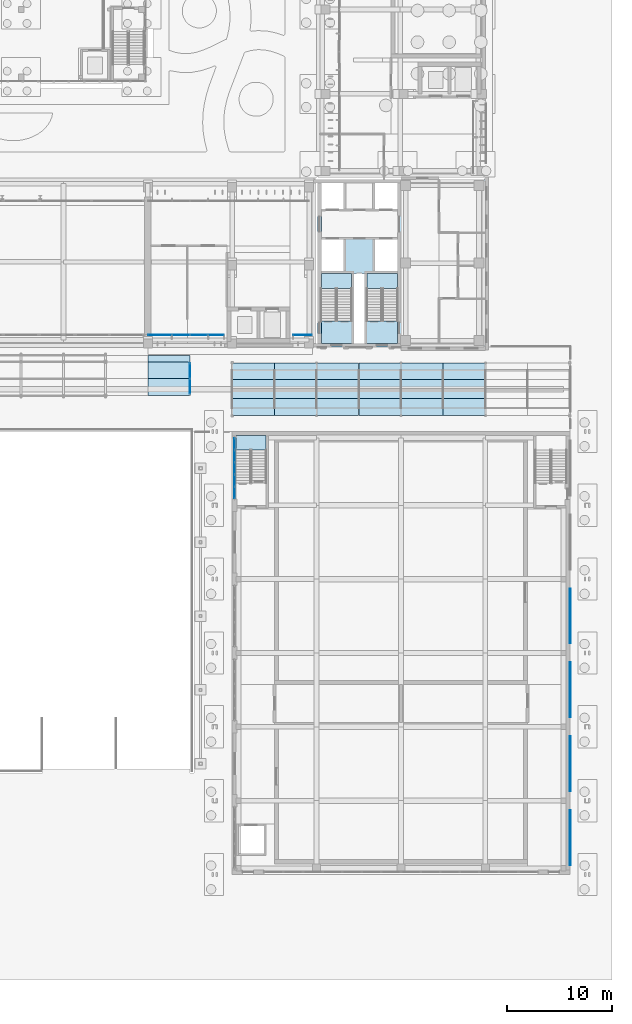
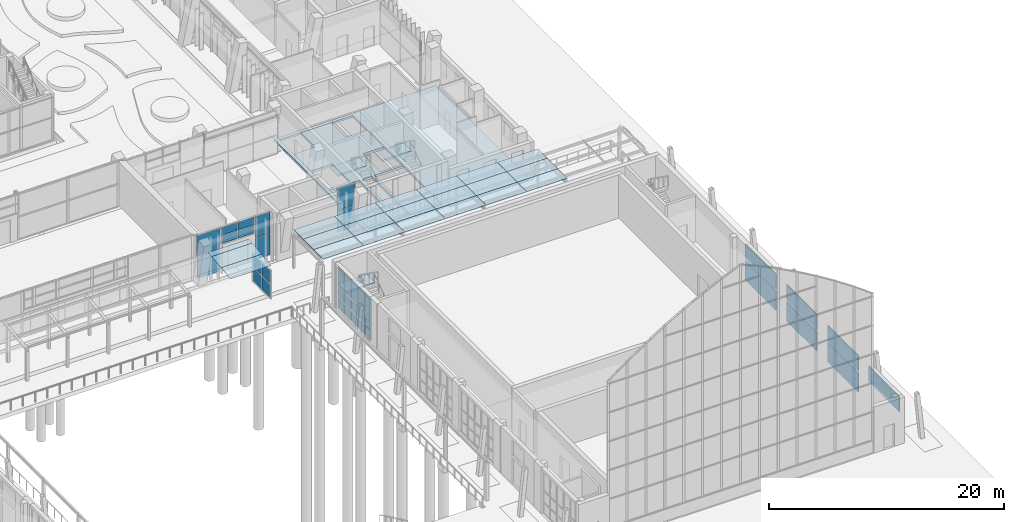
# One storey, part 94 of 144: 39 plates, 23 slabs, 9 elements without a shape of their own.
"""IFC4 building model written with IfcOpenShell, lengths in metres."""

import ifcopenshell
import ifcopenshell.guid

model = None  # the IFC model being written
_history = None  # IfcOwnerHistory: only IFC2X3 demands one
_inside = {}  # id of a spatial element -> (the spatial element, [elements in it])
_under = {}  # id of a project, library or spatial element -> (it, [spatial elements below it])
_declared = {}  # id of a project -> (the project, [libraries it declares])
_typed = {}  # id of a type object -> (the type object, [elements of that type])
_made_of = {}  # id of a material, layer set ... -> (it, [elements and type objects made of it])


def new_model(schema):
    """Start an empty IFC model of exactly this schema.

    Asked for "IFC4X3", IfcOpenShell would pick the latest addendum, in which some entities
    have other attributes; the version numbers below select the first issue.
    IFC2X3 requires an IfcOwnerHistory on every rooted entity: one is made here for all.
    """
    global model, _history
    if schema == "IFC4X3":
        model = ifcopenshell.file(schema_version=(4, 3, 0, 0))
    else:
        model = ifcopenshell.file(schema=schema)
    _inside.clear()
    _under.clear()
    _declared.clear()
    _typed.clear()
    _made_of.clear()
    _history = None
    if model.schema == "IFC2X3":
        org = make("IfcOrganization", Name="unknown")
        user = make(
            "IfcPersonAndOrganization",
            ThePerson=make("IfcPerson", FamilyName="unknown"),
            TheOrganization=org,
        )
        app = make(
            "IfcApplication",
            ApplicationDeveloper=org,
            Version="unknown",
            ApplicationFullName="unknown",
            ApplicationIdentifier="unknown",
        )
        _history = make(
            "IfcOwnerHistory",
            OwningUser=user,
            OwningApplication=app,
            ChangeAction="ADDED",
            CreationDate=0,
        )
    return model


def make(cls, **values):
    """One entity of the class cls with the attributes given. An attribute that is None is left unset."""
    return model.create_entity(
        cls, **{name: value for name, value in values.items() if value is not None}
    )


def rooted(cls, **values):
    """An entity with a GlobalId (a new one), such as an element, a storey or a relation."""
    return make(cls, GlobalId=ifcopenshell.guid.new(), OwnerHistory=_history, **values)


def si_unit(unit_type, name, prefix=None):
    """IfcSIUnit, for example si_unit("LENGTHUNIT", "METRE", prefix="MILLI")."""
    return make("IfcSIUnit", UnitType=unit_type, Prefix=prefix, Name=name)


def assignment(units):
    """IfcUnitAssignment: the units of a project."""
    return None if units is None else make("IfcUnitAssignment", Units=units)


def point(xyz):
    """IfcCartesianPoint."""
    return None if xyz is None else make("IfcCartesianPoint", Coordinates=xyz)


def direction(xyz):
    """IfcDirection."""
    return None if xyz is None else make("IfcDirection", DirectionRatios=xyz)


def frame(location, z_axis=None, x_axis=None):
    """IfcAxis2Placement3D, a coordinate frame: its origin and axes. An axis left out is left unset."""
    return make(
        "IfcAxis2Placement3D",
        Location=point(location),
        Axis=direction(z_axis),
        RefDirection=direction(x_axis),
    )


def frame_2d(location, x_axis=None):
    """IfcAxis2Placement2D, a coordinate frame in the plane: its origin and x axis."""
    return make(
        "IfcAxis2Placement2D", Location=point(location), RefDirection=direction(x_axis)
    )


def origin():
    """The frame at (0, 0, 0) with its axes left unset."""
    return frame((0.0, 0.0, 0.0))


def origin_2d():
    """The frame at (0, 0) in the plane with its x axis left unset."""
    return frame_2d((0.0, 0.0))


def place(relative_to, where):
    """IfcLocalPlacement: puts the frame where relative to a parent placement (None: the world)."""
    return make(
        "IfcLocalPlacement", PlacementRelTo=relative_to, RelativePlacement=where
    )


def context(
    kind, dimensions, precision=None, world=None, true_north=None, identifier=None
):
    """IfcGeometricRepresentationContext, for example the 3D "Model" context."""
    return make(
        "IfcGeometricRepresentationContext",
        ContextIdentifier=identifier,
        ContextType=kind,
        CoordinateSpaceDimension=dimensions,
        Precision=precision,
        WorldCoordinateSystem=world,
        TrueNorth=true_north,
    )


def subcontext(parent, identifier, kind, view, scale=None):
    """IfcGeometricRepresentationSubContext, for example "Body" below "Model"."""
    return make(
        "IfcGeometricRepresentationSubContext",
        ContextIdentifier=identifier,
        ContextType=kind,
        ParentContext=parent,
        TargetScale=scale,
        TargetView=view,
    )


def project(units=None, contexts=None):
    """IfcProject with its units and contexts."""
    return rooted(
        "IfcProject",
        Name="project",
        RepresentationContexts=contexts,
        UnitsInContext=assignment(units),
    )


def spatial(cls, under=None, at=None, **own):
    """A site, building, storey or space (cls), placed at a placement, below another one or the project."""
    s = rooted(cls, ObjectPlacement=at, **own)
    if under is not None:
        _under.setdefault(under.id(), (under, []))[1].append(s)
    return s


def polyline(points):
    """IfcPolyline through the points."""
    return make("IfcPolyline", Points=[point(p) for p in points])


def profile(cls, at=None, kind="AREA", **sizes):
    """A parametric profile (cls). Its sizes go by their IFC names, for example OverallWidth=200.0."""
    return make(cls, ProfileType=kind, Position=at, **sizes)


def rectangle(**sizes):
    """IfcRectangleProfileDef."""
    return profile("IfcRectangleProfileDef", **sizes)


def outline(outer, holes=None, kind="AREA"):
    """IfcArbitraryClosedProfileDef: a profile drawn as a closed curve; with holes, ...WithVoids."""
    if holes is None:
        return make("IfcArbitraryClosedProfileDef", ProfileType=kind, OuterCurve=outer)
    return make(
        "IfcArbitraryProfileDefWithVoids",
        ProfileType=kind,
        OuterCurve=outer,
        InnerCurves=holes,
    )


def extrude(swept, where, along, depth):
    """IfcExtrudedAreaSolid: the profile swept, set in the frame where, extruded along a direction by depth."""
    return make(
        "IfcExtrudedAreaSolid",
        SweptArea=swept,
        Position=where,
        ExtrudedDirection=direction(along),
        Depth=depth,
    )


def shape(context_of_items, identifier, shape_type, items):
    """IfcShapeRepresentation: the items that make up one representation, for example the "Body"."""
    return make(
        "IfcShapeRepresentation",
        ContextOfItems=context_of_items,
        RepresentationIdentifier=identifier,
        RepresentationType=shape_type,
        Items=items,
    )


def material(Name=None, Category=None):
    """IfcMaterial."""
    return make("IfcMaterial", Name=Name, Category=Category)


def layer(
    of_material, thickness, ventilated=None, Name=None, Category=None, Priority=None
):
    """IfcMaterialLayer: one layer of a wall or slab, of a material (None: an air gap)."""
    return make(
        "IfcMaterialLayer",
        Material=of_material,
        LayerThickness=thickness,
        IsVentilated=ventilated,
        Name=Name,
        Category=Category,
        Priority=Priority,
    )


def layer_set(layers, Name=None):
    """IfcMaterialLayerSet."""
    return make("IfcMaterialLayerSet", MaterialLayers=layers, LayerSetName=Name)


def made_of(thing, what):
    """Note that an element or type object is made of a material, layer set ...; save() writes the relation."""
    if what is not None:
        _made_of.setdefault(what.id(), (what, []))[1].append(thing)
    return thing


def type_object(cls, material=None, **own):
    """A type object (cls), such as IfcWallType, which elements share."""
    return made_of(rooted(cls, **own), material)


def element(
    cls,
    number,
    at=None,
    inside=None,
    cuts=None,
    type_object=None,
    material=None,
    context=None,
    identifier="Body",
    shape_type=None,
    held_by="IfcProductDefinitionShape",
    body=None,
    shapes=None,
    **own,
):
    """One element of the class cls, such as IfcWall. Its Tag is "e" and its number.

    at: its placement. inside: the storey or other place that contains it. cuts: it is an
    opening in that element (IfcRelVoidsElement). A single representation is given by context,
    identifier, shape_type and body (its items); several are given by shapes. held_by: the class
    of the entity that holds the representations. save() writes the other relations.
    """
    e = rooted(cls, Tag="e%d" % number, ObjectPlacement=at, **own)
    if body is not None:
        shapes = [shape(context, identifier, shape_type, body)]
    if shapes is not None:
        e.Representation = make(held_by, Representations=shapes)
    if inside is not None:
        _inside.setdefault(inside.id(), (inside, []))[1].append(e)
    if cuts is not None:
        rooted(
            "IfcRelVoidsElement", RelatingBuildingElement=cuts, RelatedOpeningElement=e
        )
    if type_object is not None:
        _typed.setdefault(type_object.id(), (type_object, []))[1].append(e)
    return made_of(e, material)


def aggregate(whole, parts):
    """IfcRelAggregates: a whole, such as a stair, and the parts it consists of."""
    return rooted("IfcRelAggregates", RelatingObject=whole, RelatedObjects=parts)


def save(model, path):
    """Write the relations noted so far, then the file.

    IfcRelAggregates (storeys below a building ...), IfcRelContainedInSpatialStructure (elements
    in a storey), IfcRelDefinesByType, IfcRelAssociatesMaterial and IfcRelDeclares: one each for
    every whole, place, type object, material and project.
    """
    for whole, parts in _under.values():
        aggregate(whole, parts)
    for where, things in _inside.values():
        rooted(
            "IfcRelContainedInSpatialStructure",
            RelatedElements=things,
            RelatingStructure=where,
        )
    for kind, things in _typed.values():
        rooted("IfcRelDefinesByType", RelatedObjects=things, RelatingType=kind)
    for what, things in _made_of.values():
        rooted("IfcRelAssociatesMaterial", RelatedObjects=things, RelatingMaterial=what)
    for by, libraries in _declared.values():
        rooted("IfcRelDeclares", RelatingContext=by, RelatedDefinitions=libraries)
    model.write(path)


model = new_model("IFC4")

# Units and contexts
model_context = context("Model", 3, precision=1e-05, world=origin(), true_north=direction((0.0, 1.0)))
body_context = subcontext(model_context, "Body", "Model", "MODEL_VIEW")
ifc_project = project(units=[si_unit("LENGTHUNIT", "METRE"), si_unit("AREAUNIT", "SQUARE_METRE"), si_unit("VOLUMEUNIT", "CUBIC_METRE"), si_unit("PLANEANGLEUNIT", "RADIAN"), si_unit("MASSUNIT", "GRAM", prefix="KILO")], contexts=[model_context])

# Site, building, storey
site_placement = place(None, origin())
site = spatial("IfcSite", under=ifc_project, at=site_placement, CompositionType="ELEMENT")
building_placement = place(site_placement, origin())
building = spatial("IfcBuilding", under=site, at=building_placement, Name="Lantern Court Media Centre", CompositionType="ELEMENT")
storey_placement = place(building_placement, origin())
storey = spatial("IfcBuildingStorey", under=building, at=storey_placement, Name="L00", CompositionType="ELEMENT", Elevation=0.0)

# Plates
ifc_material_1 = material(Name="Laminated glass 8+8", Category="glass")
ifc_layer_1 = layer(ifc_material_1, 0.031982421875)
ifc_layer_set_1 = layer_set([ifc_layer_1], Name="Laminated glass 8+8")
plate_type_1 = type_object("IfcPlateType", Name="Canopy roof glass 32", PredefinedType="SHEET", material=ifc_layer_set_1)
plate_1_placement = place(storey_placement, frame((64.0, 43.396240234375, 3.53564453125), z_axis=(0.0, -0.11817732015, 0.992992508029), x_axis=(1.0, 0.0, 0.0)))
element("IfcPlate", 1, at=plate_1_placement, inside=storey, type_object=plate_type_1, Name="Entrance canopy glass panel", PredefinedType="SHEET", context=body_context, shape_type="SweptSolid", body=[
    extrude(outline(polyline([(0.0, 0.0), (4.0, 0.0), (4.0, 1.6113894549171193), (0.0, 1.6113894549171193), (0.0, 0.0)])), origin(), (0.0, 0.0, -1.0), 0.031982421875),
])
plate_2_placement = place(storey_placement, frame((64.0, 44.996337890625, 3.72607421875), z_axis=(0.0, -0.118045683032, 0.993008165484), x_axis=(1.0, 0.0, 0.0)))
element("IfcPlate", 2, at=plate_2_placement, inside=storey, type_object=plate_type_1, Name="Entrance canopy glass panel", PredefinedType="SHEET", context=body_context, shape_type="SweptSolid", body=[
    extrude(outline(polyline([(0.0, 0.0), (4.0, 0.0), (4.0, 1.6111181873772684), (0.0, 1.6111181873772684), (0.0, 0.0)])), origin(), (0.0, 0.0, -1.0), 0.031982421875),
])
plate_3_placement = place(storey_placement, frame((64.0, 46.59619140625, 3.916259765625), z_axis=(0.0, -0.118364633013, 0.992970197766), x_axis=(1.0, 0.0, 0.0)))
element("IfcPlate", 3, at=plate_3_placement, inside=storey, type_object=plate_type_1, Name="Entrance canopy glass panel", PredefinedType="SHEET", context=body_context, shape_type="SweptSolid", body=[
    extrude(outline(polyline([(0.0, 0.0), (4.0, 0.0), (4.0, 0.6043460897416858), (0.0, 0.6043460897416858), (0.0, 0.0)])), origin(), (0.0, 0.0, -1.0), 0.031982421875),
])

# Slabs
ifc_material_2 = material(Name="Zinc standing seam on insulation")
ifc_layer_2 = layer(ifc_material_2, 0.080078125)
ifc_layer_set_2 = layer_set([ifc_layer_2], Name="Zinc standing seam on insulation")
slab_type_1 = type_object("IfcSlabType", Name="Cloister roof panel, standing seam 80", PredefinedType="ROOF", material=ifc_layer_set_2)
slab_1_placement = place(storey_placement, frame((72.00244140625, 41.5, 3.9599609375), z_axis=(0.0, 0.0, 1.0), x_axis=(1.0, 0.0, 0.0)))
element("IfcSlab", 4, at=slab_1_placement, inside=storey, type_object=slab_type_1, Name="Cloister roof panel", PredefinedType="ROOF", context=body_context, shape_type="SweptSolid", body=[
    extrude(outline(polyline([(0.0, 0.0), (3.9951171875, 0.0), (3.9951171875, 1.60009765625), (0.0, 1.60009765625), (0.0, 0.0)])), origin(), (0.0, 0.0, -1.0), 0.080078125),
])
slab_2_placement = place(storey_placement, frame((72.00244140625, 43.10009765625, 3.9599609375), z_axis=(0.0, 0.0, 1.0), x_axis=(1.0, 0.0, 0.0)))
element("IfcSlab", 5, at=slab_2_placement, inside=storey, type_object=slab_type_1, Name="Cloister roof panel", PredefinedType="ROOF", context=body_context, shape_type="SweptSolid", body=[
    extrude(outline(polyline([(0.0, 0.0), (3.9951171875, 0.0), (3.9951171875, 1.7998046875), (0.0, 1.7998046875), (0.0, 0.0)])), origin(), (0.0, 0.0, -1.0), 0.080078125),
])
for number, where, z_axis, x_axis, name in (
    (6, (72.00244140625, 44.89990234375, 3.9599609375), (0.0, 0.0, 1.0), (1.0, 0.0, 0.0), "Cloister roof panel"),
    (7, (76.00244140625, 41.5, 3.9599609375), (0.0, 0.0, 1.0), (1.0, 0.0, 0.0), "Cloister roof panel"),
):
    element("IfcSlab", number, at=place(storey_placement, frame(where, z_axis=z_axis, x_axis=x_axis)), inside=storey, type_object=slab_type_1, Name=name, PredefinedType="ROOF", context=body_context, shape_type="SweptSolid", body=[
        extrude(outline(polyline([(0.0, 0.0), (3.9951171875, 0.0), (3.9951171875, 1.60009765625), (0.0, 1.60009765625), (0.0, 0.0)])), origin(), (0.0, 0.0, -1.0), 0.080078125),
    ])
slab_3_placement = place(storey_placement, frame((76.00244140625, 43.10009765625, 3.9599609375), z_axis=(0.0, 0.0, 1.0), x_axis=(1.0, 0.0, 0.0)))
element("IfcSlab", 8, at=slab_3_placement, inside=storey, type_object=slab_type_1, Name="Cloister roof panel", PredefinedType="ROOF", context=body_context, shape_type="SweptSolid", body=[
    extrude(outline(polyline([(0.0, 0.0), (3.9951171875, 0.0), (3.9951171875, 1.7998046875), (0.0, 1.7998046875), (0.0, 0.0)])), origin(), (0.0, 0.0, -1.0), 0.080078125),
])
for number, where, z_axis, x_axis, name in (
    (9, (76.00244140625, 44.89990234375, 3.9599609375), (0.0, 0.0, 1.0), (1.0, 0.0, 0.0), "Cloister roof panel"),
    (10, (80.00244140625, 41.5, 3.9599609375), (0.0, 0.0, 1.0), (1.0, 0.0, 0.0), "Cloister roof panel"),
):
    element("IfcSlab", number, at=place(storey_placement, frame(where, z_axis=z_axis, x_axis=x_axis)), inside=storey, type_object=slab_type_1, Name=name, PredefinedType="ROOF", context=body_context, shape_type="SweptSolid", body=[
        extrude(outline(polyline([(0.0, 0.0), (3.9951171875, 0.0), (3.9951171875, 1.60009765625), (0.0, 1.60009765625), (0.0, 0.0)])), origin(), (0.0, 0.0, -1.0), 0.080078125),
    ])
slab_4_placement = place(storey_placement, frame((80.00244140625, 43.10009765625, 3.9599609375), z_axis=(0.0, 0.0, 1.0), x_axis=(1.0, 0.0, 0.0)))
element("IfcSlab", 11, at=slab_4_placement, inside=storey, type_object=slab_type_1, Name="Cloister roof panel", PredefinedType="ROOF", context=body_context, shape_type="SweptSolid", body=[
    extrude(outline(polyline([(0.0, 0.0), (3.9951171875, 0.0), (3.9951171875, 1.7998046875), (0.0, 1.7998046875), (0.0, 0.0)])), origin(), (0.0, 0.0, -1.0), 0.080078125),
])
for number, where, z_axis, x_axis, name in (
    (12, (80.00244140625, 44.89990234375, 3.9599609375), (0.0, 0.0, 1.0), (1.0, 0.0, 0.0), "Cloister roof panel"),
    (13, (84.00244140625, 41.5, 3.9599609375), (0.0, 0.0, 1.0), (1.0, 0.0, 0.0), "Cloister roof panel"),
):
    element("IfcSlab", number, at=place(storey_placement, frame(where, z_axis=z_axis, x_axis=x_axis)), inside=storey, type_object=slab_type_1, Name=name, PredefinedType="ROOF", context=body_context, shape_type="SweptSolid", body=[
        extrude(outline(polyline([(0.0, 0.0), (3.9951171875, 0.0), (3.9951171875, 1.60009765625), (0.0, 1.60009765625), (0.0, 0.0)])), origin(), (0.0, 0.0, -1.0), 0.080078125),
    ])
slab_5_placement = place(storey_placement, frame((84.00244140625, 43.10009765625, 3.9599609375), z_axis=(0.0, 0.0, 1.0), x_axis=(1.0, 0.0, 0.0)))
element("IfcSlab", 14, at=slab_5_placement, inside=storey, type_object=slab_type_1, Name="Cloister roof panel", PredefinedType="ROOF", context=body_context, shape_type="SweptSolid", body=[
    extrude(outline(polyline([(0.0, 0.0), (3.9951171875, 0.0), (3.9951171875, 1.7998046875), (0.0, 1.7998046875), (0.0, 0.0)])), origin(), (0.0, 0.0, -1.0), 0.080078125),
])
for number, where, z_axis, x_axis, name in (
    (15, (84.00244140625, 44.89990234375, 3.9599609375), (0.0, 0.0, 1.0), (1.0, 0.0, 0.0), "Cloister roof panel"),
    (16, (88.00244140625, 41.5, 3.9599609375), (0.0, 0.0, 1.0), (1.0, 0.0, 0.0), "Cloister roof panel"),
):
    element("IfcSlab", number, at=place(storey_placement, frame(where, z_axis=z_axis, x_axis=x_axis)), inside=storey, type_object=slab_type_1, Name=name, PredefinedType="ROOF", context=body_context, shape_type="SweptSolid", body=[
        extrude(outline(polyline([(0.0, 0.0), (3.9951171875, 0.0), (3.9951171875, 1.60009765625), (0.0, 1.60009765625), (0.0, 0.0)])), origin(), (0.0, 0.0, -1.0), 0.080078125),
    ])
slab_6_placement = place(storey_placement, frame((88.00244140625, 43.10009765625, 3.9599609375), z_axis=(0.0, 0.0, 1.0), x_axis=(1.0, 0.0, 0.0)))
element("IfcSlab", 17, at=slab_6_placement, inside=storey, type_object=slab_type_1, Name="Cloister roof panel", PredefinedType="ROOF", context=body_context, shape_type="SweptSolid", body=[
    extrude(outline(polyline([(0.0, 0.0), (3.9951171875, 0.0), (3.9951171875, 1.7998046875), (0.0, 1.7998046875), (0.0, 0.0)])), origin(), (0.0, 0.0, -1.0), 0.080078125),
])
for number, where, z_axis, x_axis, name in (
    (18, (88.00244140625, 44.89990234375, 3.9599609375), (0.0, 0.0, 1.0), (1.0, 0.0, 0.0), "Cloister roof panel"),
    (19, (92.00244140625, 41.5, 3.9599609375), (0.0, 0.0, 1.0), (1.0, 0.0, 0.0), "Cloister roof panel"),
):
    element("IfcSlab", number, at=place(storey_placement, frame(where, z_axis=z_axis, x_axis=x_axis)), inside=storey, type_object=slab_type_1, Name=name, PredefinedType="ROOF", context=body_context, shape_type="SweptSolid", body=[
        extrude(outline(polyline([(0.0, 0.0), (3.9951171875, 0.0), (3.9951171875, 1.60009765625), (0.0, 1.60009765625), (0.0, 0.0)])), origin(), (0.0, 0.0, -1.0), 0.080078125),
    ])
slab_7_placement = place(storey_placement, frame((92.00244140625, 43.10009765625, 3.9599609375), z_axis=(0.0, 0.0, 1.0), x_axis=(1.0, 0.0, 0.0)))
element("IfcSlab", 20, at=slab_7_placement, inside=storey, type_object=slab_type_1, Name="Cloister roof panel", PredefinedType="ROOF", context=body_context, shape_type="SweptSolid", body=[
    extrude(outline(polyline([(0.0, 0.0), (3.9951171875, 0.0), (3.9951171875, 1.7998046875), (0.0, 1.7998046875), (0.0, 0.0)])), origin(), (0.0, 0.0, -1.0), 0.080078125),
])
slab_8_placement = place(storey_placement, frame((92.00244140625, 44.89990234375, 3.9599609375), z_axis=(0.0, 0.0, 1.0), x_axis=(1.0, 0.0, 0.0)))
element("IfcSlab", 21, at=slab_8_placement, inside=storey, type_object=slab_type_1, Name="Cloister roof panel", PredefinedType="ROOF", context=body_context, shape_type="SweptSolid", body=[
    extrude(outline(polyline([(0.0, 0.0), (3.9951171875, 0.0), (3.9951171875, 1.60009765625), (0.0, 1.60009765625), (0.0, 0.0)])), origin(), (0.0, 0.0, -1.0), 0.080078125),
])
ifc_material_3 = material(Name="Concrete C40", Category="concrete")
ifc_layer_3 = layer(ifc_material_3, 0.25)
ifc_layer_set_3 = layer_set([ifc_layer_3], Name="Concrete C40")
slab_type_2 = type_object("IfcSlabType", Name="Core floor slab 250", PredefinedType="FLOOR", material=ifc_layer_set_3)
slab_9_placement = place(storey_placement, frame((0.0, 0.0, -0.25)))
element("IfcSlab", 22, at=slab_9_placement, inside=storey, type_object=slab_type_2, Name="L00 SE core floor", PredefinedType="FLOOR", context=body_context, shape_type="SweptSolid", body=[
    extrude(outline(polyline([(87.64990234375, 55.199951171875), (87.64990234375, 54.94970703125), (84.80029296875, 54.94970703125), (84.80029296875, 50.450439453125), (87.64990234375, 50.450439453125), (87.64990234375, 48.35009765625), (84.550048828125, 48.35009765625), (84.550048828125, 54.949951171875), (83.550048828125, 54.949951171875), (83.550048828125, 48.35009765625), (80.449951171875, 48.35009765625), (80.449951171875, 50.450439453125), (83.299560546875, 50.450439453125), (83.299560546875, 54.94970703125), (80.449951171875, 54.94970703125), (80.449951171875, 55.199951171875), (82.550048828125, 55.199951171875), (82.550048828125, 58.199951171875), (80.449951171875, 58.199951171875), (80.449951171875, 61.10009765625), (82.550048828125, 61.10009765625), (82.550048828125, 63.550048828125), (85.550048828125, 63.550048828125), (85.550048828125, 61.10009765625), (87.64990234375, 61.10009765625), (87.64990234375, 58.199951171875), (85.550048828125, 58.199951171875), (85.550048828125, 55.199951171875), (87.64990234375, 55.199951171875)])), origin(), (0.0, 0.0, 1.0), 0.25),
])

# Curtain wall, plates
ifc_material_4 = material(Name="Curtain wall bay 3000")
curtain_wall_type_1 = type_object("IfcCurtainWallType", Name="Curtain wall bay 3000", PredefinedType="NOTDEFINED", material=ifc_material_4)
curtain_wall_1_placement = place(storey_placement, origin())
curtain_wall_1 = element("IfcCurtainWall", 23, at=curtain_wall_1_placement, inside=storey, type_object=curtain_wall_type_1, Name="Curtain wall S outer L00", PredefinedType="NOTDEFINED")
ifc_material_5 = material(Name="Low-iron double glazed unit glass", Category="glass")
ifc_layer_4 = layer(ifc_material_5, 0.028076171875)
ifc_layer_set_4 = layer_set([ifc_layer_4], Name="Low-iron double glazed unit glass")
plate_type_2 = type_object("IfcPlateType", Name="Curtain wall glazing unit 28", PredefinedType="CURTAIN_PANEL", material=ifc_layer_set_4)
plate_4_placement = place(storey_placement, frame((65.14990234375, 49.14990234375, 0.06005859375), z_axis=(0.0, 0.0, 1.0), x_axis=(1.0, 0.0, 0.0)))
plate_4 = element("IfcPlate", 24, at=plate_4_placement, type_object=plate_type_2, Name="CW1 panel 1.1", PredefinedType="CURTAIN_PANEL", context=body_context, shape_type="SweptSolid", body=[
    extrude(rectangle(XDim=2.179931640625, YDim=0.028076171875, at=origin_2d()), origin(), (0.0, 0.0, 1.0), 2.199951171875),
])
plate_5_placement = place(storey_placement, frame((65.14990234375, 49.14990234375, 2.31982421875), z_axis=(0.0, 0.0, 1.0), x_axis=(1.0, 0.0, 0.0)))
plate_5 = element("IfcPlate", 25, at=plate_5_placement, type_object=plate_type_2, Name="CW1 panel 1.2", PredefinedType="CURTAIN_PANEL", context=body_context, shape_type="SweptSolid", body=[
    extrude(rectangle(XDim=2.179931640625, YDim=0.028076171875, at=origin_2d()), origin(), (0.0, 0.0, 1.0), 2.199951171875),
])
aggregate(curtain_wall_1, [plate_4, plate_5])

curtain_wall_2_placement = place(storey_placement, origin())
curtain_wall_2 = element("IfcCurtainWall", 26, at=curtain_wall_2_placement, inside=storey, type_object=curtain_wall_type_1, Name="Curtain wall S outer L00", PredefinedType="NOTDEFINED")
plate_6_placement = place(storey_placement, frame((70.47509765625, 49.14990234375, 0.06005859375), z_axis=(0.0, 0.0, 1.0), x_axis=(1.0, 0.0, 0.0)))
plate_6 = element("IfcPlate", 27, at=plate_6_placement, type_object=plate_type_2, Name="CW1 panel 1.1", PredefinedType="CURTAIN_PANEL", context=body_context, shape_type="SweptSolid", body=[
    extrude(rectangle(XDim=1.429931640625, YDim=0.028076171875, at=origin_2d()), origin(), (0.0, 0.0, 1.0), 2.199951171875),
])
plate_7_placement = place(storey_placement, frame((70.47509765625, 49.14990234375, 2.31982421875), z_axis=(0.0, 0.0, 1.0), x_axis=(1.0, 0.0, 0.0)))
plate_7 = element("IfcPlate", 28, at=plate_7_placement, type_object=plate_type_2, Name="CW1 panel 1.2", PredefinedType="CURTAIN_PANEL", context=body_context, shape_type="SweptSolid", body=[
    extrude(rectangle(XDim=1.429931640625, YDim=0.028076171875, at=origin_2d()), origin(), (0.0, 0.0, 1.0), 2.199951171875),
])
aggregate(curtain_wall_2, [plate_6, plate_7])

curtain_wall_3_placement = place(storey_placement, origin())
curtain_wall_3 = element("IfcCurtainWall", 29, at=curtain_wall_3_placement, inside=storey, type_object=curtain_wall_type_1, Name="Curtain wall S outer L00", PredefinedType="NOTDEFINED")
plate_8_placement = place(storey_placement, frame((78.6650390625, 49.14990234375, 0.06005859375), z_axis=(0.0, 0.0, 1.0), x_axis=(1.0, 0.0, 0.0)))
plate_8 = element("IfcPlate", 30, at=plate_8_placement, type_object=plate_type_2, Name="CW1 panel 1.1", PredefinedType="CURTAIN_PANEL", context=body_context, shape_type="SweptSolid", body=[
    extrude(rectangle(XDim=1.7099609375, YDim=0.028076171875, at=origin_2d()), origin(), (0.0, 0.0, 1.0), 2.199951171875),
])
plate_9_placement = place(storey_placement, frame((78.6650390625, 49.14990234375, 2.31982421875), z_axis=(0.0, 0.0, 1.0), x_axis=(1.0, 0.0, 0.0)))
plate_9 = element("IfcPlate", 31, at=plate_9_placement, type_object=plate_type_2, Name="CW1 panel 1.2", PredefinedType="CURTAIN_PANEL", context=body_context, shape_type="SweptSolid", body=[
    extrude(rectangle(XDim=1.7099609375, YDim=0.028076171875, at=origin_2d()), origin(), (0.0, 0.0, 1.0), 2.199951171875),
])
aggregate(curtain_wall_3, [plate_8, plate_9])

ifc_material_6 = material(Name="Curtain wall bay 1700")
curtain_wall_type_2 = type_object("IfcCurtainWallType", Name="Curtain wall bay 1700", PredefinedType="NOTDEFINED", material=ifc_material_6)
curtain_wall_4_placement = place(storey_placement, origin())
curtain_wall_4 = element("IfcCurtainWall", 32, at=curtain_wall_4_placement, inside=storey, type_object=curtain_wall_type_2, Name="Curtain wall S outer L00", PredefinedType="NOTDEFINED")
plate_10_placement = place(storey_placement, frame((67.1650390625, 49.14990234375, 2.85986328125), z_axis=(0.0, 0.0, 1.0), x_axis=(1.0, 0.0, 0.0)))
plate_10 = element("IfcPlate", 33, at=plate_10_placement, type_object=plate_type_2, Name="CW4 panel 1.1", PredefinedType="CURTAIN_PANEL", context=body_context, shape_type="SweptSolid", body=[
    extrude(rectangle(XDim=1.610107421875, YDim=0.028076171875, at=origin_2d()), origin(), (0.0, 0.0, 1.0), 0.800048828125),
])
plate_11_placement = place(storey_placement, frame((67.1650390625, 49.14990234375, 3.72021484375), z_axis=(0.0, 0.0, 1.0), x_axis=(1.0, 0.0, 0.0)))
plate_11 = element("IfcPlate", 34, at=plate_11_placement, type_object=plate_type_2, Name="CW4 panel 1.2", PredefinedType="CURTAIN_PANEL", context=body_context, shape_type="SweptSolid", body=[
    extrude(rectangle(XDim=1.610107421875, YDim=0.028076171875, at=origin_2d()), origin(), (0.0, 0.0, 1.0), 0.800048828125),
])
plate_12_placement = place(storey_placement, frame((68.8349609375, 49.14990234375, 2.85986328125), z_axis=(0.0, 0.0, 1.0), x_axis=(1.0, 0.0, 0.0)))
plate_12 = element("IfcPlate", 35, at=plate_12_placement, type_object=plate_type_2, Name="CW4 panel 2.1", PredefinedType="CURTAIN_PANEL", context=body_context, shape_type="SweptSolid", body=[
    extrude(rectangle(XDim=1.610107421875, YDim=0.028076171875, at=origin_2d()), origin(), (0.0, 0.0, 1.0), 0.800048828125),
])
plate_13_placement = place(storey_placement, frame((68.8349609375, 49.14990234375, 3.72021484375), z_axis=(0.0, 0.0, 1.0), x_axis=(1.0, 0.0, 0.0)))
plate_13 = element("IfcPlate", 36, at=plate_13_placement, type_object=plate_type_2, Name="CW4 panel 2.2", PredefinedType="CURTAIN_PANEL", context=body_context, shape_type="SweptSolid", body=[
    extrude(rectangle(XDim=1.610107421875, YDim=0.028076171875, at=origin_2d()), origin(), (0.0, 0.0, 1.0), 0.800048828125),
])
aggregate(curtain_wall_4, [plate_10, plate_11, plate_12, plate_13])

ifc_material_7 = material(Name="Aluminium and glass", Category="aluminium")
ifc_layer_5 = layer(ifc_material_7, 0.14990234375)
ifc_layer_set_5 = layer_set([ifc_layer_5], Name="Aluminium and glass")
curtain_wall_type_3 = type_object("IfcCurtainWallType", Name="Hall lancet glazing", PredefinedType="NOTDEFINED", material=ifc_layer_set_5)
curtain_wall_5_placement = place(storey_placement, origin())
curtain_wall_5 = element("IfcCurtainWall", 37, at=curtain_wall_5_placement, inside=storey, type_object=curtain_wall_type_3, Name="Studio Hall foyer glazing 6", PredefinedType="NOTDEFINED")
ifc_material_8 = material(Name="Laminated glass 6+6", Category="glass")
ifc_layer_6 = layer(ifc_material_8, 0.028076171875)
ifc_layer_set_6 = layer_set([ifc_layer_6], Name="Laminated glass 6+6")
plate_type_3 = type_object("IfcPlateType", Name="HP", PredefinedType="CURTAIN_PANEL", material=ifc_layer_set_6)
plate_14_placement = place(storey_placement, frame((72.22509765625, 34.195068359375, 0.119873046875), z_axis=(0.0, 0.0, 1.0), x_axis=(0.0, 1.0, 0.0)))
plate_14 = element("IfcPlate", 38, at=plate_14_placement, type_object=plate_type_3, Name="HCW-V26 panel 1.1", PredefinedType="CURTAIN_PANEL", context=body_context, shape_type="SweptSolid", body=[
    extrude(rectangle(XDim=1.070068359375, YDim=0.028076171875, at=origin_2d()), origin(), (0.0, 0.0, 1.0), 1.02001953125),
])
plate_15_placement = place(storey_placement, frame((72.22509765625, 34.195068359375, 1.260009765625), z_axis=(0.0, 0.0, 1.0), x_axis=(0.0, 1.0, 0.0)))
plate_15 = element("IfcPlate", 39, at=plate_15_placement, type_object=plate_type_3, Name="HCW-V26 panel 1.2", PredefinedType="CURTAIN_PANEL", context=body_context, shape_type="SweptSolid", body=[
    extrude(rectangle(XDim=1.070068359375, YDim=0.028076171875, at=origin_2d()), origin(), (0.0, 0.0, 1.0), 1.080078125),
])
plate_16_placement = place(storey_placement, frame((72.22509765625, 34.195068359375, 2.4599609375), z_axis=(0.0, 0.0, 1.0), x_axis=(0.0, 1.0, 0.0)))
plate_16 = element("IfcPlate", 40, at=plate_16_placement, type_object=plate_type_3, Name="HCW-V26 panel 1.3", PredefinedType="CURTAIN_PANEL", context=body_context, shape_type="SweptSolid", body=[
    extrude(rectangle(XDim=1.070068359375, YDim=0.028076171875, at=origin_2d()), origin(), (0.0, 0.0, 1.0), 1.969970703125),
])
plate_17_placement = place(storey_placement, frame((72.22509765625, 35.340087890625, 0.119873046875), z_axis=(0.0, 0.0, 1.0), x_axis=(0.0, 1.0, 0.0)))
plate_17 = element("IfcPlate", 41, at=plate_17_placement, type_object=plate_type_3, Name="HCW-V26 panel 2.1", PredefinedType="CURTAIN_PANEL", context=body_context, shape_type="SweptSolid", body=[
    extrude(rectangle(XDim=1.10009765625, YDim=0.028076171875, at=origin_2d()), origin(), (0.0, 0.0, 1.0), 1.02001953125),
])
plate_18_placement = place(storey_placement, frame((72.22509765625, 35.340087890625, 1.260009765625), z_axis=(0.0, 0.0, 1.0), x_axis=(0.0, 1.0, 0.0)))
plate_18 = element("IfcPlate", 42, at=plate_18_placement, type_object=plate_type_3, Name="HCW-V26 panel 2.2", PredefinedType="CURTAIN_PANEL", context=body_context, shape_type="SweptSolid", body=[
    extrude(rectangle(XDim=1.10009765625, YDim=0.028076171875, at=origin_2d()), origin(), (0.0, 0.0, 1.0), 1.080078125),
])
plate_19_placement = place(storey_placement, frame((72.22509765625, 35.340087890625, 2.4599609375), z_axis=(0.0, 0.0, 1.0), x_axis=(0.0, 1.0, 0.0)))
plate_19 = element("IfcPlate", 43, at=plate_19_placement, type_object=plate_type_3, Name="HCW-V26 panel 2.3", PredefinedType="CURTAIN_PANEL", context=body_context, shape_type="SweptSolid", body=[
    extrude(rectangle(XDim=1.10009765625, YDim=0.028076171875, at=origin_2d()), origin(), (0.0, 0.0, 1.0), 1.969970703125),
])
plate_20_placement = place(storey_placement, frame((72.22509765625, 36.5, 0.119873046875), z_axis=(0.0, 0.0, 1.0), x_axis=(0.0, 1.0, 0.0)))
plate_20 = element("IfcPlate", 44, at=plate_20_placement, type_object=plate_type_3, Name="HCW-V26 panel 3.1", PredefinedType="CURTAIN_PANEL", context=body_context, shape_type="SweptSolid", body=[
    extrude(rectangle(XDim=1.10009765625, YDim=0.028076171875, at=origin_2d()), origin(), (0.0, 0.0, 1.0), 1.02001953125),
])
plate_21_placement = place(storey_placement, frame((72.22509765625, 36.5, 1.260009765625), z_axis=(0.0, 0.0, 1.0), x_axis=(0.0, 1.0, 0.0)))
plate_21 = element("IfcPlate", 45, at=plate_21_placement, type_object=plate_type_3, Name="HCW-V26 panel 3.2", PredefinedType="CURTAIN_PANEL", context=body_context, shape_type="SweptSolid", body=[
    extrude(rectangle(XDim=1.10009765625, YDim=0.028076171875, at=origin_2d()), origin(), (0.0, 0.0, 1.0), 1.080078125),
])
plate_22_placement = place(storey_placement, frame((72.22509765625, 36.5, 2.4599609375), z_axis=(0.0, 0.0, 1.0), x_axis=(0.0, 1.0, 0.0)))
plate_22 = element("IfcPlate", 46, at=plate_22_placement, type_object=plate_type_3, Name="HCW-V26 panel 3.3", PredefinedType="CURTAIN_PANEL", context=body_context, shape_type="SweptSolid", body=[
    extrude(rectangle(XDim=1.10009765625, YDim=0.028076171875, at=origin_2d()), origin(), (0.0, 0.0, 1.0), 1.969970703125),
])
plate_23_placement = place(storey_placement, frame((72.22509765625, 37.659912109375, 0.119873046875), z_axis=(0.0, 0.0, 1.0), x_axis=(0.0, 1.0, 0.0)))
plate_23 = element("IfcPlate", 47, at=plate_23_placement, type_object=plate_type_3, Name="HCW-V26 panel 4.1", PredefinedType="CURTAIN_PANEL", context=body_context, shape_type="SweptSolid", body=[
    extrude(rectangle(XDim=1.10009765625, YDim=0.028076171875, at=origin_2d()), origin(), (0.0, 0.0, 1.0), 1.02001953125),
])
plate_24_placement = place(storey_placement, frame((72.22509765625, 37.659912109375, 1.260009765625), z_axis=(0.0, 0.0, 1.0), x_axis=(0.0, 1.0, 0.0)))
plate_24 = element("IfcPlate", 48, at=plate_24_placement, type_object=plate_type_3, Name="HCW-V26 panel 4.2", PredefinedType="CURTAIN_PANEL", context=body_context, shape_type="SweptSolid", body=[
    extrude(rectangle(XDim=1.10009765625, YDim=0.028076171875, at=origin_2d()), origin(), (0.0, 0.0, 1.0), 1.080078125),
])
plate_25_placement = place(storey_placement, frame((72.22509765625, 37.659912109375, 2.4599609375), z_axis=(0.0, 0.0, 1.0), x_axis=(0.0, 1.0, 0.0)))
plate_25 = element("IfcPlate", 49, at=plate_25_placement, type_object=plate_type_3, Name="HCW-V26 panel 4.3", PredefinedType="CURTAIN_PANEL", context=body_context, shape_type="SweptSolid", body=[
    extrude(rectangle(XDim=1.10009765625, YDim=0.028076171875, at=origin_2d()), origin(), (0.0, 0.0, 1.0), 1.969970703125),
])
plate_26_placement = place(storey_placement, frame((72.22509765625, 38.804931640625, 0.119873046875), z_axis=(0.0, 0.0, 1.0), x_axis=(0.0, 1.0, 0.0)))
plate_26 = element("IfcPlate", 50, at=plate_26_placement, type_object=plate_type_3, Name="HCW-V26 panel 5.1", PredefinedType="CURTAIN_PANEL", context=body_context, shape_type="SweptSolid", body=[
    extrude(rectangle(XDim=1.070068359375, YDim=0.028076171875, at=origin_2d()), origin(), (0.0, 0.0, 1.0), 1.02001953125),
])
plate_27_placement = place(storey_placement, frame((72.22509765625, 38.804931640625, 1.260009765625), z_axis=(0.0, 0.0, 1.0), x_axis=(0.0, 1.0, 0.0)))
plate_27 = element("IfcPlate", 51, at=plate_27_placement, type_object=plate_type_3, Name="HCW-V26 panel 5.2", PredefinedType="CURTAIN_PANEL", context=body_context, shape_type="SweptSolid", body=[
    extrude(rectangle(XDim=1.070068359375, YDim=0.028076171875, at=origin_2d()), origin(), (0.0, 0.0, 1.0), 1.080078125),
])
plate_28_placement = place(storey_placement, frame((72.22509765625, 38.804931640625, 2.4599609375), z_axis=(0.0, 0.0, 1.0), x_axis=(0.0, 1.0, 0.0)))
plate_28 = element("IfcPlate", 52, at=plate_28_placement, type_object=plate_type_3, Name="HCW-V26 panel 5.3", PredefinedType="CURTAIN_PANEL", context=body_context, shape_type="SweptSolid", body=[
    extrude(rectangle(XDim=1.070068359375, YDim=0.028076171875, at=origin_2d()), origin(), (0.0, 0.0, 1.0), 1.969970703125),
])
aggregate(curtain_wall_5, [plate_14, plate_15, plate_16, plate_17, plate_18, plate_19, plate_20, plate_21, plate_22, plate_23, plate_24, plate_25, plate_26, plate_27, plate_28])

curtain_wall_6_placement = place(storey_placement, origin())
curtain_wall_6 = element("IfcCurtainWall", 53, at=curtain_wall_6_placement, inside=storey, type_object=curtain_wall_type_3, Name="Entrance canopy east end glazing", PredefinedType="NOTDEFINED")
plate_29_placement = place(storey_placement, frame((68.0, 44.264892578125, 0.1201171875), z_axis=(0.0, 0.0, 1.0), x_axis=(0.0, 1.0, 0.0)))
plate_29 = element("IfcPlate", 54, at=plate_29_placement, type_object=plate_type_3, Name="HCW-CE panel 1.1", PredefinedType="CURTAIN_PANEL", context=body_context, shape_type="SweptSolid", body=[
    extrude(rectangle(XDim=1.409912109375, YDim=0.028076171875, at=origin_2d()), origin(), (0.0, 0.0, 1.0), 1.320068359375),
])
plate_30_placement = place(storey_placement, frame((68.0, 44.264892578125, 1.56005859375), z_axis=(0.0, 0.0, 1.0), x_axis=(0.0, 1.0, 0.0)))
plate_30 = element("IfcPlate", 55, at=plate_30_placement, type_object=plate_type_3, Name="HCW-CE panel 1.2", PredefinedType="CURTAIN_PANEL", context=body_context, shape_type="SweptSolid", body=[
    extrude(rectangle(XDim=1.409912109375, YDim=0.028076171875, at=origin_2d()), origin(), (0.0, 0.0, 1.0), 1.320068359375),
])
plate_31_placement = place(storey_placement, frame((68.0, 45.735107421875, 0.1201171875), z_axis=(0.0, 0.0, 1.0), x_axis=(0.0, 1.0, 0.0)))
plate_31 = element("IfcPlate", 56, at=plate_31_placement, type_object=plate_type_3, Name="HCW-CE panel 2.1", PredefinedType="CURTAIN_PANEL", context=body_context, shape_type="SweptSolid", body=[
    extrude(rectangle(XDim=1.409912109375, YDim=0.028076171875, at=origin_2d()), origin(), (0.0, 0.0, 1.0), 1.320068359375),
])
plate_32_placement = place(storey_placement, frame((68.0, 45.735107421875, 1.56005859375), z_axis=(0.0, 0.0, 1.0), x_axis=(0.0, 1.0, 0.0)))
plate_32 = element("IfcPlate", 57, at=plate_32_placement, type_object=plate_type_3, Name="HCW-CE panel 2.2", PredefinedType="CURTAIN_PANEL", context=body_context, shape_type="SweptSolid", body=[
    extrude(rectangle(XDim=1.409912109375, YDim=0.028076171875, at=origin_2d()), origin(), (0.0, 0.0, 1.0), 1.320068359375),
])
aggregate(curtain_wall_6, [plate_29, plate_30, plate_31, plate_32])

# Slab
ifc_material_9 = material(Name="Concrete C35", Category="concrete")
ifc_layer_7 = layer(ifc_material_9, 0.199951171875)
ifc_layer_set_7 = layer_set([ifc_layer_7], Name="Concrete C35")
slab_type_3 = type_object("IfcSlabType", Name="RC FLOOR SLAB 200", PredefinedType="FLOOR", material=ifc_layer_set_7)
slab_10_placement = place(storey_placement, frame((0.0, 0.0, -0.199951171875)))
element("IfcSlab", 58, at=slab_10_placement, inside=storey, type_object=slab_type_3, Name="SL-SE-L00", PredefinedType="FLOOR", context=body_context, shape_type="SweptSolid", body=[
    extrude(outline(polyline([(80.10009765625, 48.0), (80.10009765625, 63.89990234375), (96.0, 63.89990234375), (96.0, 48.0), (80.10009765625, 48.0)]), holes=[polyline([(87.64990234375, 63.550048828125), (80.449951171875, 63.550048828125), (80.449951171875, 48.35009765625), (87.64990234375, 48.35009765625), (87.64990234375, 63.550048828125)])]), origin(), (0.0, 0.0, 1.0), 0.199951171875),
])

# Stair, slab
stair_type = type_object("IfcStairType", Name="Exit stair 1350", PredefinedType="HALF_TURN_STAIR", material=ifc_material_3)
stair_1_placement = place(storey_placement, origin())
stair_1 = element("IfcStair", 59, at=stair_1_placement, inside=storey, type_object=stair_type, Name="L00 SE exit stair A", PredefinedType="HALF_TURN_STAIR")
ifc_layer_8 = layer(ifc_material_3, 0.199951171875)
ifc_layer_set_8 = layer_set([ifc_layer_8], Name="Concrete C40")
slab_type_4 = type_object("IfcSlabType", Name="Stair landing RC 200", PredefinedType="LANDING", material=ifc_layer_set_8)
slab_11_placement = place(storey_placement, frame((0.0, 0.0, 2.199951171875)))
slab_11 = element("IfcSlab", 60, at=slab_11_placement, type_object=slab_type_4, Name="ST-SEA landing 1", PredefinedType="LANDING", context=body_context, shape_type="SweptSolid", body=[
    extrude(outline(polyline([(87.64990234375, 53.570068359375), (87.64990234375, 54.949951171875), (84.800048828125, 54.949951171875), (84.800048828125, 53.570068359375), (87.64990234375, 53.570068359375)])), origin(), (0.0, 0.0, 1.0), 0.199951171875),
])
aggregate(stair_1, [slab_11])

stair_2_placement = place(storey_placement, origin())
stair_2 = element("IfcStair", 61, at=stair_2_placement, inside=storey, type_object=stair_type, Name="L00 SE exit stair B", PredefinedType="HALF_TURN_STAIR")
slab_12_placement = place(storey_placement, frame((0.0, 0.0, 2.199951171875)))
slab_12 = element("IfcSlab", 62, at=slab_12_placement, type_object=slab_type_4, Name="ST-SEB landing 1", PredefinedType="LANDING", context=body_context, shape_type="SweptSolid", body=[
    extrude(outline(polyline([(83.300048828125, 53.570068359375), (83.300048828125, 54.949951171875), (80.449951171875, 54.949951171875), (80.449951171875, 53.570068359375), (83.300048828125, 53.570068359375)])), origin(), (0.0, 0.0, 1.0), 0.199951171875),
])
aggregate(stair_2, [slab_12])

stair_3_placement = place(storey_placement, origin())
stair_3 = element("IfcStair", 63, at=stair_3_placement, inside=storey, type_object=stair_type, Name="L00 V2-ST-W exit stair", PredefinedType="HALF_TURN_STAIR")
slab_13_placement = place(storey_placement, frame((0.0, 0.0, 2.199951171875)))
slab_13 = element("IfcSlab", 64, at=slab_13_placement, type_object=slab_type_4, Name="ST-V2-ST-W landing 1", PredefinedType="LANDING", context=body_context, shape_type="SweptSolid", body=[
    extrude(outline(polyline([(75.199951171875, 38.219970703125), (75.199951171875, 39.60009765625), (72.35009765625, 39.60009765625), (72.35009765625, 38.219970703125), (75.199951171875, 38.219970703125)])), origin(), (0.0, 0.0, 1.0), 0.199951171875),
])
aggregate(stair_3, [slab_13])

# Plates
ifc_material_10 = material(Name="Limestone cladding", Category="masonry")
ifc_layer_9 = layer(ifc_material_10, 0.080078125)
ifc_layer_set_9 = layer_set([ifc_layer_9], Name="Limestone cladding")
plate_type_4 = type_object("IfcPlateType", Name="Stone relief panel", PredefinedType="SHEET", material=ifc_layer_set_9)
plate_33_placement = place(storey_placement, frame((104.0400390625, 1.5, 2.699951171875), z_axis=(0.0, 0.0, 1.0), x_axis=(1.0, 0.0, 0.0)))
element("IfcPlate", 65, at=plate_33_placement, inside=storey, type_object=plate_type_4, Name="Studio Hall street face relief panel", PredefinedType="SHEET", context=body_context, shape_type="SweptSolid", body=[
    extrude(rectangle(XDim=0.080078125, YDim=5.199951171875, at=origin_2d()), origin(), (0.0, 0.0, 1.0), 1.60009765625),
])
plate_34_placement = place(storey_placement, frame((104.0400390625, 8.5, 0.5), z_axis=(0.0, 0.0, 1.0), x_axis=(1.0, 0.0, 0.0)))
element("IfcPlate", 66, at=plate_34_placement, inside=storey, type_object=plate_type_4, Name="Studio Hall street face relief panel", PredefinedType="SHEET", context=body_context, shape_type="SweptSolid", body=[
    extrude(rectangle(XDim=0.080078125, YDim=5.199951171875, at=origin_2d()), origin(), (0.0, 0.0, 1.0), 2.0),
])
plate_35_placement = place(storey_placement, frame((104.0400390625, 8.5, 2.699951171875), z_axis=(0.0, 0.0, 1.0), x_axis=(1.0, 0.0, 0.0)))
element("IfcPlate", 67, at=plate_35_placement, inside=storey, type_object=plate_type_4, Name="Studio Hall street face relief panel", PredefinedType="SHEET", context=body_context, shape_type="SweptSolid", body=[
    extrude(rectangle(XDim=0.080078125, YDim=5.199951171875, at=origin_2d()), origin(), (0.0, 0.0, 1.0), 1.60009765625),
])
plate_36_placement = place(storey_placement, frame((104.0400390625, 15.5, 0.5), z_axis=(0.0, 0.0, 1.0), x_axis=(1.0, 0.0, 0.0)))
element("IfcPlate", 68, at=plate_36_placement, inside=storey, type_object=plate_type_4, Name="Studio Hall street face relief panel", PredefinedType="SHEET", context=body_context, shape_type="SweptSolid", body=[
    extrude(rectangle(XDim=0.080078125, YDim=5.199951171875, at=origin_2d()), origin(), (0.0, 0.0, 1.0), 2.0),
])
plate_37_placement = place(storey_placement, frame((104.0400390625, 15.5, 2.699951171875), z_axis=(0.0, 0.0, 1.0), x_axis=(1.0, 0.0, 0.0)))
element("IfcPlate", 69, at=plate_37_placement, inside=storey, type_object=plate_type_4, Name="Studio Hall street face relief panel", PredefinedType="SHEET", context=body_context, shape_type="SweptSolid", body=[
    extrude(rectangle(XDim=0.080078125, YDim=5.199951171875, at=origin_2d()), origin(), (0.0, 0.0, 1.0), 1.60009765625),
])
plate_38_placement = place(storey_placement, frame((104.0400390625, 22.5, 0.5), z_axis=(0.0, 0.0, 1.0), x_axis=(1.0, 0.0, 0.0)))
element("IfcPlate", 70, at=plate_38_placement, inside=storey, type_object=plate_type_4, Name="Studio Hall street face relief panel", PredefinedType="SHEET", context=body_context, shape_type="SweptSolid", body=[
    extrude(rectangle(XDim=0.080078125, YDim=5.199951171875, at=origin_2d()), origin(), (0.0, 0.0, 1.0), 2.0),
])
plate_39_placement = place(storey_placement, frame((104.0400390625, 22.5, 2.699951171875), z_axis=(0.0, 0.0, 1.0), x_axis=(1.0, 0.0, 0.0)))
element("IfcPlate", 71, at=plate_39_placement, inside=storey, type_object=plate_type_4, Name="Studio Hall street face relief panel", PredefinedType="SHEET", context=body_context, shape_type="SweptSolid", body=[
    extrude(rectangle(XDim=0.080078125, YDim=5.199951171875, at=origin_2d()), origin(), (0.0, 0.0, 1.0), 1.60009765625),
])

save(model, "model.ifc")
